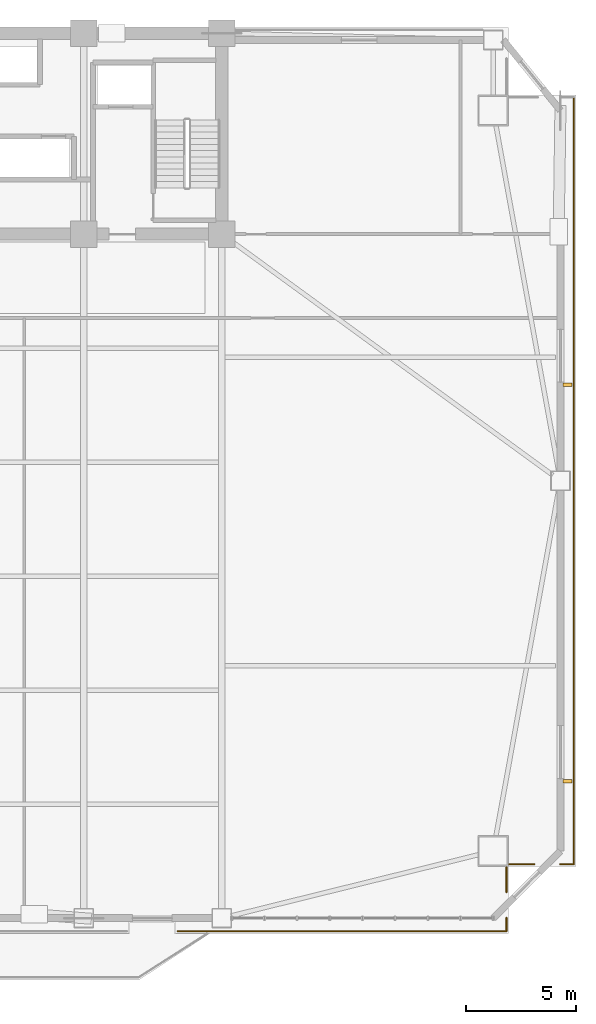
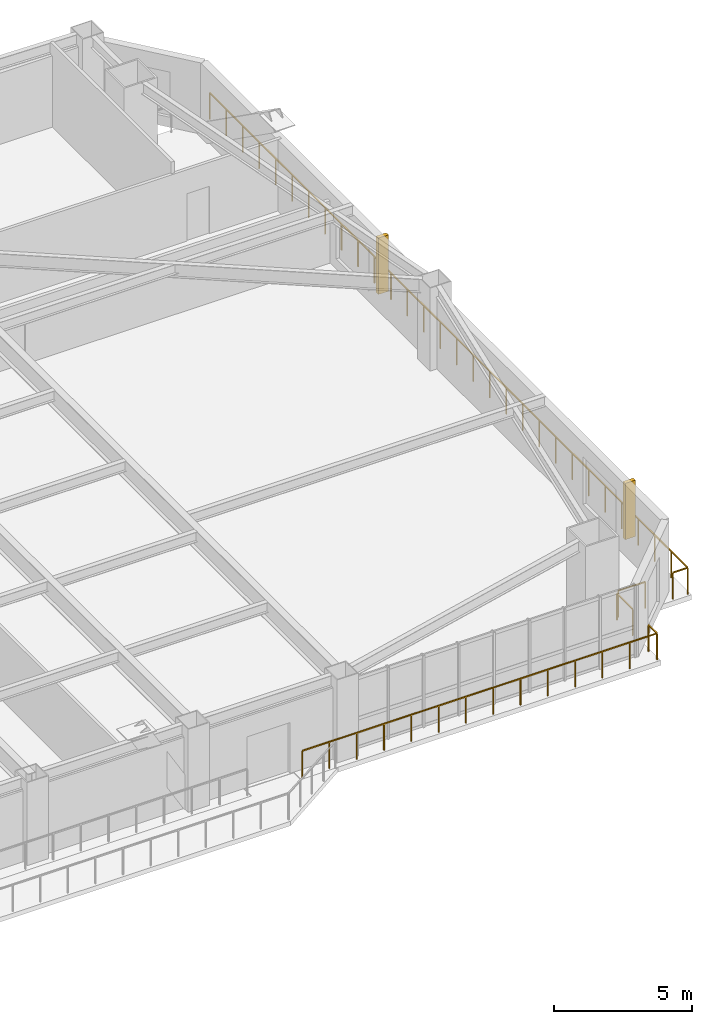
# One storey, part 13 of 15: 6 railings, 2 shading devices.
"""IFC4 building model written with IfcOpenShell, lengths in metres."""

from ifc_helpers import new_model, si_unit, direction, frame, origin, origin_2d, place, context, subcontext, project, spatial, rectangle, extrude, source, transform, mapped, material, type_object, element, save


model = new_model("IFC4")

# Units and contexts
model_context = context("Model", 3, precision=1e-05, world=origin(), true_north=direction((0.0, 1.0)))
body_context = subcontext(model_context, "Body", "Model", "MODEL_VIEW")
ifc_project = project(units=[si_unit("LENGTHUNIT", "METRE"), si_unit("AREAUNIT", "SQUARE_METRE"), si_unit("VOLUMEUNIT", "CUBIC_METRE"), si_unit("PLANEANGLEUNIT", "RADIAN"), si_unit("MASSUNIT", "GRAM", prefix="KILO")], contexts=[model_context])

# Site, building, storey
site_placement = place(None, origin())
site = spatial("IfcSite", under=ifc_project, at=site_placement, CompositionType="ELEMENT")
building_placement = place(site_placement, origin())
building = spatial("IfcBuilding", under=site, at=building_placement, Name="Giltprow Tower", CompositionType="ELEMENT")
storey_placement = place(building_placement, frame((0.0, 0.0, 99.699951171875)))
storey = spatial("IfcBuildingStorey", under=building, at=storey_placement, Name="L24", CompositionType="ELEMENT", Elevation=99.699951171875)

# Railings
ifc_material = material(Name="Anodized bronze", Category="metal")
railing_type = type_object("IfcRailingType", Name="RAIL-BALC-GUARD-1200", PredefinedType="BALUSTRADE", material=ifc_material)
railing_1_placement = place(storey_placement, frame((66.490966796875, 43.656005859375, 0.0)))
element("IfcRailing", 1, at=railing_1_placement, inside=storey, type_object=railing_type, Name="L24 Corner Apron Edge Balustrade 14", PredefinedType="BALUSTRADE", context=body_context, shape_type="SweptSolid", body=[
    extrude(rectangle(XDim=0.048095703125, YDim=0.048095703125, at=origin_2d()), frame((0.0, 0.0, 1.17578125), z_axis=(0.0, -1.0, 0.0), x_axis=(1.0, 0.0, 0.0)), (0.0, 0.0, 1.0), 34.7509765625),
    extrude(rectangle(XDim=0.0419921875, YDim=0.0419921875, at=origin_2d()), origin(), (0.0, 0.0, 1.0), 1.15185546875),
    extrude(rectangle(XDim=0.0419921875, YDim=0.0419921875, at=origin_2d()), frame((0.0, -1.1982421875, 0.0)), (0.0, 0.0, 1.0), 1.15185546875),
    extrude(rectangle(XDim=0.0419921875, YDim=0.0419921875, at=origin_2d()), frame((0.0, -2.396728515625, 0.0)), (0.0, 0.0, 1.0), 1.15185546875),
    extrude(rectangle(XDim=0.0419921875, YDim=0.0419921875, at=origin_2d()), frame((0.0, -3.594970703125, 0.0)), (0.0, 0.0, 1.0), 1.15185546875),
    extrude(rectangle(XDim=0.0419921875, YDim=0.0419921875, at=origin_2d()), frame((0.0, -4.793212890625, 0.0)), (0.0, 0.0, 1.0), 1.15185546875),
    extrude(rectangle(XDim=0.0419921875, YDim=0.0419921875, at=origin_2d()), frame((0.0, -5.991455078125, 0.0)), (0.0, 0.0, 1.0), 1.15185546875),
    extrude(rectangle(XDim=0.0419921875, YDim=0.0419921875, at=origin_2d()), frame((0.0, -7.18994140625, 0.0)), (0.0, 0.0, 1.0), 1.15185546875),
    extrude(rectangle(XDim=0.0419921875, YDim=0.0419921875, at=origin_2d()), frame((0.0, -8.38818359375, 0.0)), (0.0, 0.0, 1.0), 1.15185546875),
    extrude(rectangle(XDim=0.0419921875, YDim=0.0419921875, at=origin_2d()), frame((0.0, -9.58642578125, 0.0)), (0.0, 0.0, 1.0), 1.15185546875),
    extrude(rectangle(XDim=0.0419921875, YDim=0.0419921875, at=origin_2d()), frame((0.0, -10.78466796875, 0.0)), (0.0, 0.0, 1.0), 1.15185546875),
    extrude(rectangle(XDim=0.0419921875, YDim=0.0419921875, at=origin_2d()), frame((0.0, -11.983154296875, 0.0)), (0.0, 0.0, 1.0), 1.15185546875),
    extrude(rectangle(XDim=0.0419921875, YDim=0.0419921875, at=origin_2d()), frame((0.0, -13.181396484375, 0.0)), (0.0, 0.0, 1.0), 1.15185546875),
    extrude(rectangle(XDim=0.0419921875, YDim=0.0419921875, at=origin_2d()), frame((0.0, -14.379638671875, 0.0)), (0.0, 0.0, 1.0), 1.15185546875),
    extrude(rectangle(XDim=0.0419921875, YDim=0.0419921875, at=origin_2d()), frame((0.0, -15.578125, 0.0)), (0.0, 0.0, 1.0), 1.15185546875),
    extrude(rectangle(XDim=0.0419921875, YDim=0.0419921875, at=origin_2d()), frame((0.0, -16.7763671875, 0.0)), (0.0, 0.0, 1.0), 1.15185546875),
    extrude(rectangle(XDim=0.0419921875, YDim=0.0419921875, at=origin_2d()), frame((0.0, -17.974609375, 0.0)), (0.0, 0.0, 1.0), 1.15185546875),
    extrude(rectangle(XDim=0.0419921875, YDim=0.0419921875, at=origin_2d()), frame((0.0, -19.1728515625, 0.0)), (0.0, 0.0, 1.0), 1.15185546875),
    extrude(rectangle(XDim=0.0419921875, YDim=0.0419921875, at=origin_2d()), frame((0.0, -20.371337890625, 0.0)), (0.0, 0.0, 1.0), 1.15185546875),
    extrude(rectangle(XDim=0.0419921875, YDim=0.0419921875, at=origin_2d()), frame((0.0, -21.569580078125, 0.0)), (0.0, 0.0, 1.0), 1.15185546875),
    extrude(rectangle(XDim=0.0419921875, YDim=0.0419921875, at=origin_2d()), frame((0.0, -22.767822265625, 0.0)), (0.0, 0.0, 1.0), 1.15185546875),
    extrude(rectangle(XDim=0.0419921875, YDim=0.0419921875, at=origin_2d()), frame((0.0, -23.96630859375, 0.0)), (0.0, 0.0, 1.0), 1.15185546875),
    extrude(rectangle(XDim=0.0419921875, YDim=0.0419921875, at=origin_2d()), frame((0.0, -25.16455078125, 0.0)), (0.0, 0.0, 1.0), 1.15185546875),
    extrude(rectangle(XDim=0.0419921875, YDim=0.0419921875, at=origin_2d()), frame((0.0, -26.36279296875, 0.0)), (0.0, 0.0, 1.0), 1.15185546875),
    extrude(rectangle(XDim=0.0419921875, YDim=0.0419921875, at=origin_2d()), frame((0.0, -27.56103515625, 0.0)), (0.0, 0.0, 1.0), 1.15185546875),
    extrude(rectangle(XDim=0.0419921875, YDim=0.0419921875, at=origin_2d()), frame((0.0, -28.759521484375, 0.0)), (0.0, 0.0, 1.0), 1.15185546875),
    extrude(rectangle(XDim=0.0419921875, YDim=0.0419921875, at=origin_2d()), frame((0.0, -29.957763671875, 0.0)), (0.0, 0.0, 1.0), 1.15185546875),
    extrude(rectangle(XDim=0.0419921875, YDim=0.0419921875, at=origin_2d()), frame((0.0, -31.156005859375, 0.0)), (0.0, 0.0, 1.0), 1.15185546875),
    extrude(rectangle(XDim=0.0419921875, YDim=0.0419921875, at=origin_2d()), frame((0.0, -32.354248046875, 0.0)), (0.0, 0.0, 1.0), 1.15185546875),
    extrude(rectangle(XDim=0.0419921875, YDim=0.0419921875, at=origin_2d()), frame((0.0, -33.552734375, 0.0)), (0.0, 0.0, 1.0), 1.15185546875),
    extrude(rectangle(XDim=0.0419921875, YDim=0.0419921875, at=origin_2d()), frame((0.0, -34.7509765625, 0.0)), (0.0, 0.0, 1.0), 1.15185546875),
])
railing_2_placement = place(storey_placement, frame((66.490966796875, 8.905029296875, 0.0)))
element("IfcRailing", 2, at=railing_2_placement, inside=storey, type_object=railing_type, Name="L24 Corner Apron Edge Balustrade 15", PredefinedType="BALUSTRADE", context=body_context, shape_type="SweptSolid", body=[
    extrude(rectangle(XDim=0.048095703125, YDim=0.048095703125, at=origin_2d()), frame((0.0, 0.0, 1.17578125), z_axis=(-1.0, 0.0, 0.0), x_axis=(0.0, -1.0, 0.0)), (0.0, 0.0, 1.0), 0.619873046875),
    extrude(rectangle(XDim=0.0419921875, YDim=0.0419921875, at=origin_2d()), origin(), (0.0, 0.0, 1.0), 1.15185546875),
    extrude(rectangle(XDim=0.0419921875, YDim=0.0419921875, at=origin_2d()), frame((-0.619873046875, 0.0, 0.0)), (0.0, 0.0, 1.0), 1.15185546875),
])
railing_3_placement = place(storey_placement, frame((64.7109375, 8.905029296875, 0.0)))
element("IfcRailing", 3, at=railing_3_placement, inside=storey, type_object=railing_type, Name="L24 Corner Apron Edge Balustrade 16", PredefinedType="BALUSTRADE", context=body_context, shape_type="SweptSolid", body=[
    extrude(rectangle(XDim=0.048095703125, YDim=0.048095703125, at=origin_2d()), frame((0.0, 0.0, 1.17578125), z_axis=(-1.0, 0.0, 0.0), x_axis=(0.0, -1.0, 0.0)), (0.0, 0.0, 1.0), 1.1279296875),
    extrude(rectangle(XDim=0.0419921875, YDim=0.0419921875, at=origin_2d()), origin(), (0.0, 0.0, 1.0), 1.15185546875),
    extrude(rectangle(XDim=0.0419921875, YDim=0.0419921875, at=origin_2d()), frame((-1.1279296875, 0.0, 0.0)), (0.0, 0.0, 1.0), 1.15185546875),
])
railing_4_placement = place(storey_placement, frame((63.447998046875, 8.77001953125, 0.0)))
element("IfcRailing", 4, at=railing_4_placement, inside=storey, type_object=railing_type, Name="L24 Corner Apron Edge Balustrade 17", PredefinedType="BALUSTRADE", context=body_context, shape_type="SweptSolid", body=[
    extrude(rectangle(XDim=0.048095703125, YDim=0.048095703125, at=origin_2d()), frame((0.0, 0.0, 1.17578125), z_axis=(0.0, -1.0, 0.0), x_axis=(1.0, 0.0, 0.0)), (0.0, 0.0, 1.0), 1.1279296875),
    extrude(rectangle(XDim=0.0419921875, YDim=0.0419921875, at=origin_2d()), origin(), (0.0, 0.0, 1.0), 1.15185546875),
    extrude(rectangle(XDim=0.0419921875, YDim=0.0419921875, at=origin_2d()), frame((0.0, -1.1279296875, 0.0)), (0.0, 0.0, 1.0), 1.15185546875),
])
railing_5_placement = place(storey_placement, frame((63.447998046875, 6.48193359375, 0.0)))
element("IfcRailing", 5, at=railing_5_placement, inside=storey, type_object=railing_type, Name="L24 Corner Apron Edge Balustrade 18", PredefinedType="BALUSTRADE", context=body_context, shape_type="SweptSolid", body=[
    extrude(rectangle(XDim=0.048095703125, YDim=0.048095703125, at=origin_2d()), frame((0.0, 0.0, 1.17578125), z_axis=(0.0, -1.0, 0.0), x_axis=(1.0, 0.0, 0.0)), (0.0, 0.0, 1.0), 0.619873046875),
    extrude(rectangle(XDim=0.0419921875, YDim=0.0419921875, at=origin_2d()), origin(), (0.0, 0.0, 1.0), 1.15185546875),
    extrude(rectangle(XDim=0.0419921875, YDim=0.0419921875, at=origin_2d()), frame((0.0, -0.619873046875, 0.0)), (0.0, 0.0, 1.0), 1.15185546875),
])
railing_6_placement = place(storey_placement, frame((63.447998046875, 5.862060546875, 0.0)))
element("IfcRailing", 6, at=railing_6_placement, inside=storey, type_object=railing_type, Name="L24 Corner Apron Edge Balustrade 19", PredefinedType="BALUSTRADE", context=body_context, shape_type="SweptSolid", body=[
    extrude(rectangle(XDim=0.048095703125, YDim=0.048095703125, at=origin_2d()), frame((0.0, 0.0, 1.17578125), z_axis=(-1.0, 0.0, 0.0), x_axis=(0.0, -1.0, 0.0)), (0.0, 0.0, 1.0), 14.89794921875),
    extrude(rectangle(XDim=0.0419921875, YDim=0.0419921875, at=origin_2d()), origin(), (0.0, 0.0, 1.0), 1.15185546875),
    extrude(rectangle(XDim=0.0419921875, YDim=0.0419921875, at=origin_2d()), frame((-1.14599609375, 0.0, 0.0)), (0.0, 0.0, 1.0), 1.15185546875),
    extrude(rectangle(XDim=0.0419921875, YDim=0.0419921875, at=origin_2d()), frame((-2.2919921875, 0.0, 0.0)), (0.0, 0.0, 1.0), 1.15185546875),
    extrude(rectangle(XDim=0.0419921875, YDim=0.0419921875, at=origin_2d()), frame((-3.43798828125, 0.0, 0.0)), (0.0, 0.0, 1.0), 1.15185546875),
    extrude(rectangle(XDim=0.0419921875, YDim=0.0419921875, at=origin_2d()), frame((-4.583984375, 0.0, 0.0)), (0.0, 0.0, 1.0), 1.15185546875),
    extrude(rectangle(XDim=0.0419921875, YDim=0.0419921875, at=origin_2d()), frame((-5.72998046875, 0.0, 0.0)), (0.0, 0.0, 1.0), 1.15185546875),
    extrude(rectangle(XDim=0.0419921875, YDim=0.0419921875, at=origin_2d()), frame((-6.8759765625, 0.0, 0.0)), (0.0, 0.0, 1.0), 1.15185546875),
    extrude(rectangle(XDim=0.0419921875, YDim=0.0419921875, at=origin_2d()), frame((-8.02197265625, 0.0, 0.0)), (0.0, 0.0, 1.0), 1.15185546875),
    extrude(rectangle(XDim=0.0419921875, YDim=0.0419921875, at=origin_2d()), frame((-9.16796875, 0.0, 0.0)), (0.0, 0.0, 1.0), 1.15185546875),
    extrude(rectangle(XDim=0.0419921875, YDim=0.0419921875, at=origin_2d()), frame((-10.31396484375, 0.0, 0.0)), (0.0, 0.0, 1.0), 1.15185546875),
    extrude(rectangle(XDim=0.0419921875, YDim=0.0419921875, at=origin_2d()), frame((-11.4599609375, 0.0, 0.0)), (0.0, 0.0, 1.0), 1.15185546875),
    extrude(rectangle(XDim=0.0419921875, YDim=0.0419921875, at=origin_2d()), frame((-12.60595703125, 0.0, 0.0)), (0.0, 0.0, 1.0), 1.15185546875),
    extrude(rectangle(XDim=0.0419921875, YDim=0.0419921875, at=origin_2d()), frame((-13.751953125, 0.0, 0.0)), (0.0, 0.0, 1.0), 1.15185546875),
    extrude(rectangle(XDim=0.0419921875, YDim=0.0419921875, at=origin_2d()), frame((-14.89794921875, 0.0, 0.0)), (0.0, 0.0, 1.0), 1.15185546875),
])

# Shading devices
shading_device_type = type_object("IfcShadingDeviceType", Name="SHD-FIN-420", PredefinedType="USERDEFINED", material=ifc_material)
shared_shape = source(origin(), body_context, "Body", "SweptSolid", [
    extrude(rectangle(XDim=0.419921875, YDim=0.159912109375, at=origin_2d()), origin(), (0.0, 0.0, 1.0), 2.5),
])
for number, where, z_axis, x_axis, name in (
    (7, (66.2109375, 12.669921875, 0.35009765625), (0.0, 0.0, 1.0), (1.0, 0.0, 0.0), "L24 E Bronze Vertical Fin 1-1"),
    (8, (66.2109375, 30.62109375, 0.35009765625), (0.0, 0.0, 1.0), (1.0, 0.0, 0.0), "L24 E Bronze Vertical Fin 2-1"),
):
    element("IfcShadingDevice", number, at=place(storey_placement, frame(where, z_axis=z_axis, x_axis=x_axis)), inside=storey, type_object=shading_device_type, Name=name, ObjectType="FIN", PredefinedType="USERDEFINED", context=body_context, shape_type="MappedRepresentation", body=[
        mapped(shared_shape, transform((0.0, 0.0, 0.0), x_axis=(1.0, 0.0, 0.0), y_axis=(0.0, 1.0, 0.0), z_axis=(0.0, 0.0, 1.0), scale=1.0)),
    ])

save(model, "model.ifc")
